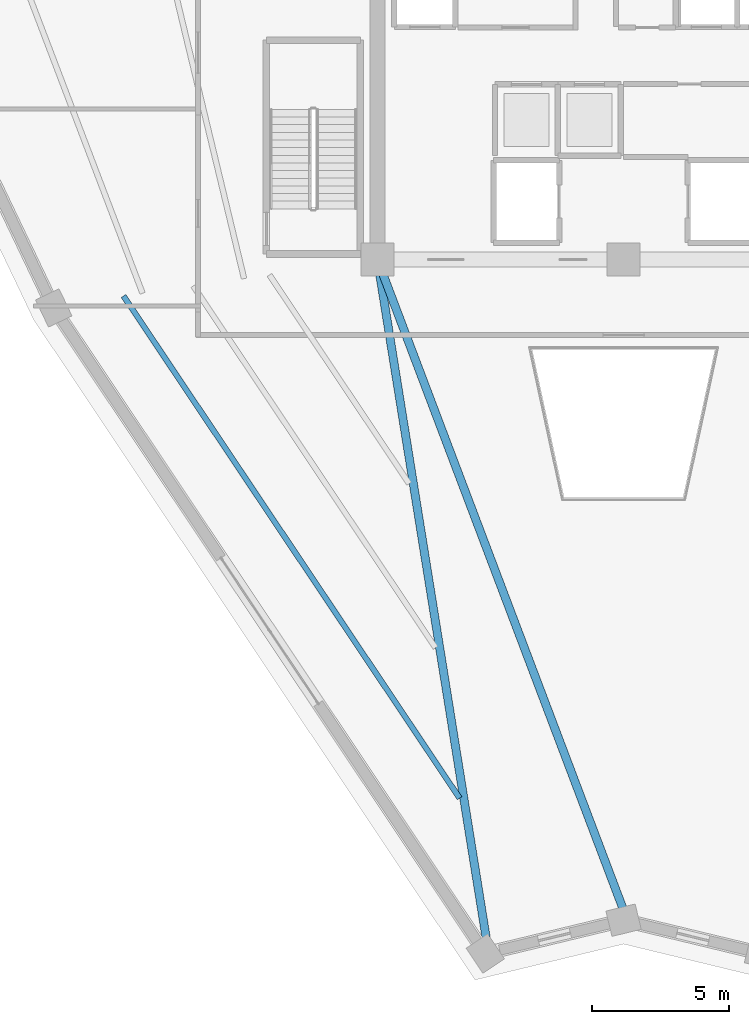
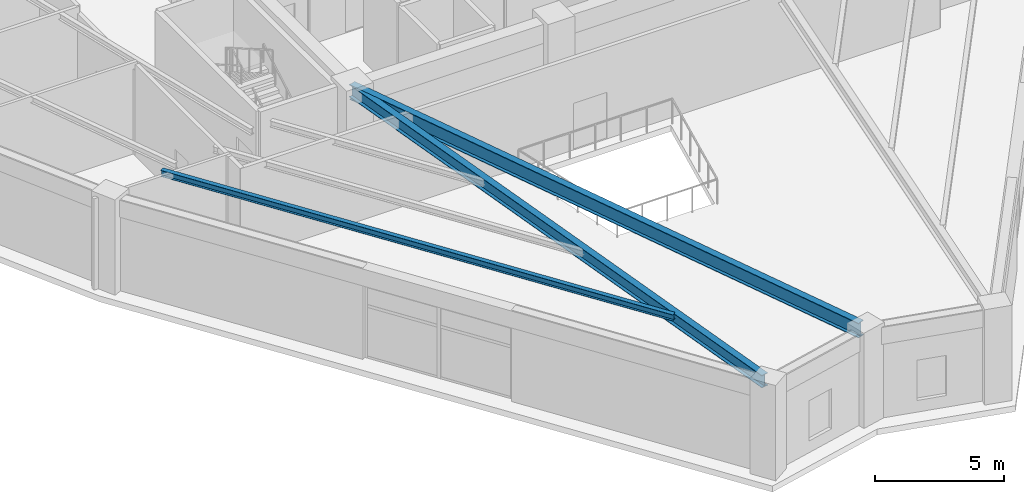
# One storey, part 5 of 35: 3 beams.
"""IFC4 building model written with IfcOpenShell, lengths in metres."""

from ifc_helpers import new_model, si_unit, direction, frame, origin, origin_2d, place, context, subcontext, project, spatial, i_section, extrude, source, transform, mapped, material, material_profile, profile_set, type_object, element, save


model = new_model("IFC4")

# Units and contexts
model_context = context("Model", 3, precision=1e-05, world=origin(), true_north=direction((0.0, 1.0)))
body_context = subcontext(model_context, "Body", "Model", "MODEL_VIEW")
ifc_project = project(units=[si_unit("LENGTHUNIT", "METRE"), si_unit("AREAUNIT", "SQUARE_METRE"), si_unit("VOLUMEUNIT", "CUBIC_METRE"), si_unit("PLANEANGLEUNIT", "RADIAN"), si_unit("MASSUNIT", "GRAM", prefix="KILO")], contexts=[model_context])

# Site, building, storey
site_placement = place(None, origin())
site = spatial("IfcSite", under=ifc_project, at=site_placement, CompositionType="ELEMENT")
building_placement = place(site_placement, origin())
building = spatial("IfcBuilding", under=site, at=building_placement, Name="Liaohun Quay Tower", CompositionType="ELEMENT")
storey_placement = place(building_placement, frame((0.0, 0.0, 282.0)))
storey = spatial("IfcBuildingStorey", under=building, at=storey_placement, Name="L73", CompositionType="ELEMENT", Elevation=282.0)

# Beams
ifc_material = material(Name="Steel Q355D", Category="steel")
ifc_material_profile_1 = material_profile(ifc_material, i_section(OverallWidth=0.300048828125, OverallDepth=0.587890625, WebThickness=0.011962890625, FlangeThickness=0.02001953125, at=origin_2d()), Name="HM588x300x12x20")
ifc_profile_set_1 = profile_set([ifc_material_profile_1], Name="Steel Q355D")
beam_type_1 = type_object("IfcBeamType", Name="BM-RAD-U2", PredefinedType="BEAM", material=ifc_profile_set_1)
shared_shape_1 = source(origin(), body_context, "Body", "SweptSolid", [
    extrude(i_section(OverallWidth=0.300048828125, OverallDepth=0.587890625, WebThickness=0.011962890625, FlangeThickness=0.02001953125, at=origin_2d()), origin(), (0.0, 0.0, 1.0), 25.312255859375),
])
beam_1_placement = place(storey_placement, frame((51.0, 46.5, 4.02587890625), z_axis=(0.158344472575, -0.987383931409, 0.0), x_axis=(0.987383931409, 0.158344472575, 0.0)))
element("IfcBeam", 1, at=beam_1_placement, inside=storey, type_object=beam_type_1, Name="L73 Radial Primary Girder CC1-PC01", PredefinedType="BEAM", context=body_context, shape_type="MappedRepresentation", body=[
    mapped(shared_shape_1, transform((0.0, 0.0, 0.0), x_axis=(1.0, 0.0, 0.0), y_axis=(0.0, 1.0, 0.0), z_axis=(0.0, 0.0, 1.0), scale=1.0)),
])
ifc_material_profile_2 = material_profile(ifc_material, i_section(OverallWidth=0.300048828125, OverallDepth=0.699951171875, WebThickness=0.012939453125, FlangeThickness=0.02392578125, at=origin_2d()), Name="HN700x300x13x24")
ifc_profile_set_2 = profile_set([ifc_material_profile_2], Name="Steel Q355D")
beam_type_2 = type_object("IfcBeamType", Name="BM-RAD-U1", PredefinedType="BEAM", material=ifc_profile_set_2)
shared_shape_2 = source(origin(), body_context, "Body", "SweptSolid", [
    extrude(i_section(OverallWidth=0.300048828125, OverallDepth=0.699951171875, WebThickness=0.012939453125, FlangeThickness=0.02392578125, at=origin_2d()), origin(), (0.0, 0.0, 1.0), 25.43359375),
])
beam_2_placement = place(storey_placement, frame((51.0, 46.5, 3.969970703125), z_axis=(0.353861232896, -0.935297935341, 0.0), x_axis=(0.935297935341, 0.353861232896, 0.0)))
element("IfcBeam", 2, at=beam_2_placement, inside=storey, type_object=beam_type_2, Name="L73 Radial Primary Girder CC1-PC12", PredefinedType="BEAM", context=body_context, shape_type="MappedRepresentation", body=[
    mapped(shared_shape_2, transform((0.0, 0.0, 0.0), x_axis=(1.0, 0.0, 0.0), y_axis=(0.0, 1.0, 0.0), z_axis=(0.0, 0.0, 1.0), scale=1.0)),
])
ifc_material_profile_3 = material_profile(ifc_material, i_section(OverallWidth=0.199951171875, OverallDepth=0.2939453125, WebThickness=0.008056640625, FlangeThickness=0.011962890625, at=origin_2d()), Name="HM294x200x8x12")
ifc_profile_set_3 = profile_set([ifc_material_profile_3], Name="Steel Q355D")
beam_type_3 = type_object("IfcBeamType", Name="BM-SEC-J4", PredefinedType="JOIST", material=ifc_profile_set_3)
shared_shape_3 = source(origin(), body_context, "Body", "SweptSolid", [
    extrude(i_section(OverallWidth=0.199951171875, OverallDepth=0.2939453125, WebThickness=0.008056640625, FlangeThickness=0.011962890625, at=origin_2d()), origin(), (0.0, 0.0, 1.0), 22.09423828125),
])
beam_3_placement = place(storey_placement, frame((54.007080078125, 26.803955078125, 4.173095703125), z_axis=(-0.556213980293, 0.831039113476, 0.0), x_axis=(-0.831039113476, -0.556213980293, 0.0)))
element("IfcBeam", 3, at=beam_3_placement, inside=storey, type_object=beam_type_3, Name="L73 Wing Secondary Floor Joist SJ-03", PredefinedType="JOIST", context=body_context, shape_type="MappedRepresentation", body=[
    mapped(shared_shape_3, transform((0.0, 0.0, 0.0), x_axis=(1.0, 0.0, 0.0), y_axis=(0.0, 1.0, 0.0), z_axis=(0.0, 0.0, 1.0), scale=1.0)),
])

save(model, "model.ifc")
